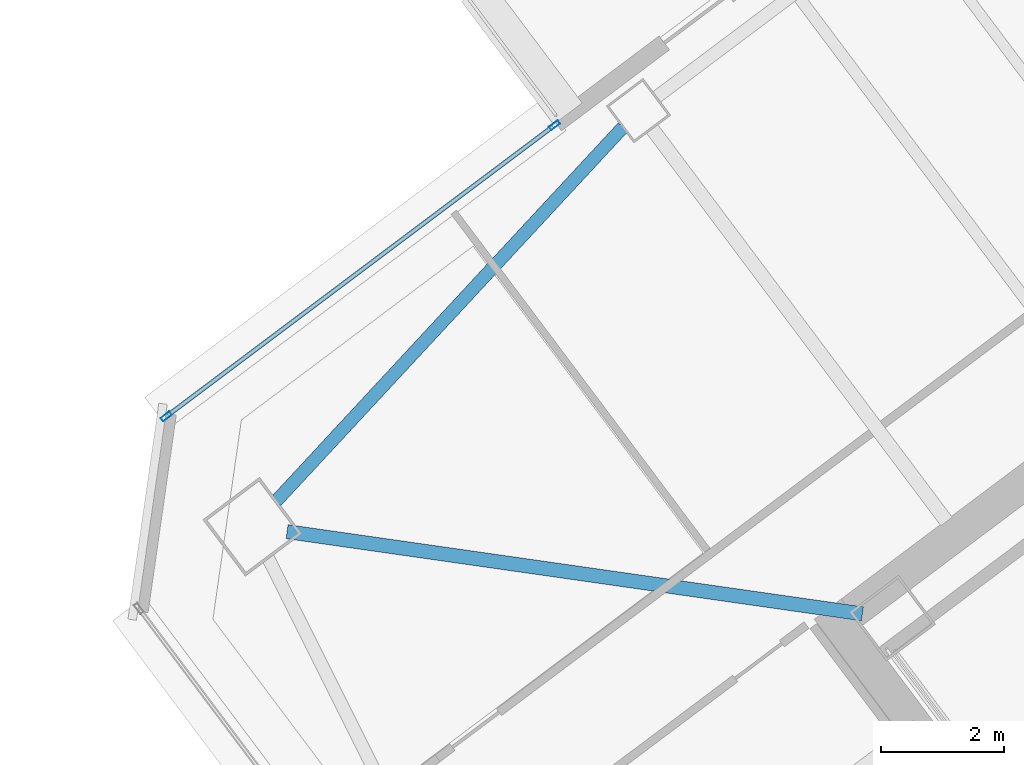
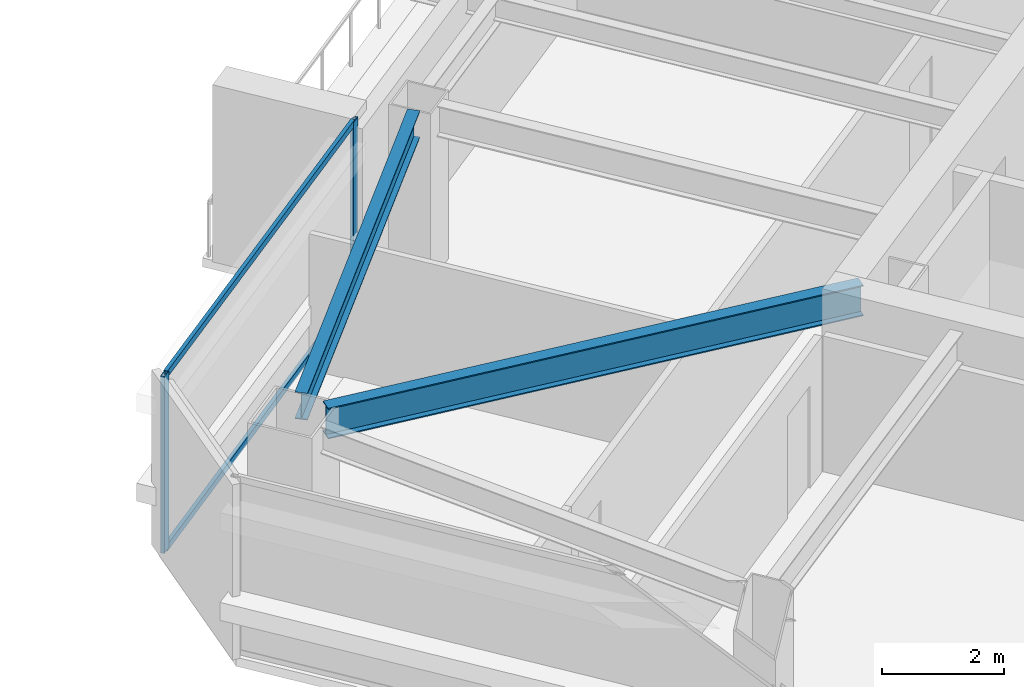
# One storey, part 22 of 41: 4 members, 2 beams, 1 element without a shape of its own.
"""IFC4 building model written with IfcOpenShell, lengths in metres."""

from ifc_helpers import new_model, si_unit, direction, frame, origin, origin_2d, place, context, subcontext, project, spatial, hollow_rectangle, i_section, extrude, material, material_profile, profile_set, type_object, element, aggregate, save


model = new_model("IFC4")

# Units and contexts
model_context = context("Model", 3, precision=1e-05, world=origin(), true_north=direction((0.0, 1.0)))
body_context = subcontext(model_context, "Body", "Model", "MODEL_VIEW")
ifc_project = project(units=[si_unit("LENGTHUNIT", "METRE"), si_unit("AREAUNIT", "SQUARE_METRE"), si_unit("VOLUMEUNIT", "CUBIC_METRE"), si_unit("PLANEANGLEUNIT", "RADIAN"), si_unit("MASSUNIT", "GRAM", prefix="KILO")], contexts=[model_context])

# Site, building, storey
site_placement = place(None, origin())
site = spatial("IfcSite", under=ifc_project, at=site_placement, CompositionType="ELEMENT")
building_placement = place(site_placement, origin())
building = spatial("IfcBuilding", under=site, at=building_placement, Name="Tashvorn Skyway Center", CompositionType="ELEMENT")
storey_placement = place(building_placement, frame((0.0, 0.0, 192.5)))
storey = spatial("IfcBuildingStorey", under=building, at=storey_placement, Name="L52", CompositionType="ELEMENT", Elevation=192.5)

# Beams
ifc_material_1 = material(Name="Steel ASTM A992 Grade 50", Category="steel")
ifc_material_profile_1 = material_profile(ifc_material_1, i_section(OverallWidth=0.22998046875, OverallDepth=0.616943359375, WebThickness=0.01318359375, FlangeThickness=0.022216796875, at=origin_2d()), Name="W24X94")
ifc_profile_set_1 = profile_set([ifc_material_profile_1], Name="Steel ASTM A992 Grade 50")
beam_type_1 = type_object("IfcBeamType", Name="BM-BEAM-W24X94", PredefinedType="BEAM", material=ifc_profile_set_1)
beam_1_placement = place(storey_placement, frame((94.26416015625, 34.8193359375, 3.0615234375), z_axis=(0.989950009213, -0.141417747326, 0.0), x_axis=(0.141417747326, 0.989950009213, 0.0)))
element("IfcBeam", 1, at=beam_1_placement, inside=storey, type_object=beam_type_1, Name="Tower 2 L52 Primary Floor Girder MC-NW", PredefinedType="BEAM", context=body_context, shape_type="SweptSolid", body=[
    extrude(i_section(OverallWidth=0.22998046875, OverallDepth=0.616943359375, WebThickness=0.01318359375, FlangeThickness=0.022216796875, at=origin_2d()), origin(), (0.0, 0.0, 1.0), 9.470947265625),
])
ifc_material_profile_2 = material_profile(ifc_material_1, i_section(OverallWidth=0.2109375, OverallDepth=0.5390625, WebThickness=0.01171875, FlangeThickness=0.018798828125, at=origin_2d()), Name="W21X73")
ifc_profile_set_2 = profile_set([ifc_material_profile_2], Name="Steel ASTM A992 Grade 50")
beam_type_2 = type_object("IfcBeamType", Name="BM-SPANDREL-W21X73", PredefinedType="SPANDREL", material=ifc_profile_set_2)
beam_2_placement = place(storey_placement, frame((99.73828125, 41.40869140625, 3.1005859375), z_axis=(-0.680119661736, -0.733101115618, 0.0), x_axis=(0.733101115618, -0.680119661736, 0.0)))
element("IfcBeam", 2, at=beam_2_placement, inside=storey, type_object=beam_type_2, Name="Tower 2 L52 Spandrel Beam 09", PredefinedType="SPANDREL", context=body_context, shape_type="SweptSolid", body=[
    extrude(i_section(OverallWidth=0.2109375, OverallDepth=0.5390625, WebThickness=0.01171875, FlangeThickness=0.018798828125, at=origin_2d()), origin(), (0.0, 0.0, 1.0), 8.308349609375),
])

# Curtain wall, members
ifc_material_2 = material(Name="Thermally broken bronze-anodized aluminium 6063-T6", Category="aluminium")
curtain_wall_type = type_object("IfcCurtainWallType", Name="CW-CW-Z4", PredefinedType="NOTDEFINED", material=ifc_material_2)
curtain_wall_placement = place(storey_placement, origin())
curtain_wall = element("IfcCurtainWall", 3, at=curtain_wall_placement, inside=storey, type_object=curtain_wall_type, Name="Tower 2 L52 North Curtain Wall L", PredefinedType="NOTDEFINED")
ifc_material_profile_3 = material_profile(ifc_material_2, hollow_rectangle(XDim=0.070068359375, YDim=0.179931640625, WallThickness=0.00390625, at=origin_2d()), Name="ALU-MULL-70x180")
ifc_profile_set_3 = profile_set([ifc_material_profile_3], Name="Thermally broken bronze-anodized aluminium 6063-T6")
member_type_1 = type_object("IfcMemberType", Name="CWM-CW-Z4", PredefinedType="MULLION", material=ifc_profile_set_3)
member_1_placement = place(storey_placement, frame((92.2958984375, 36.697021484375, 0.0), z_axis=(0.0, 0.0, 1.0), x_axis=(-0.600000000002, 0.799999999998, 0.0)))
member_1 = element("IfcMember", 4, at=member_1_placement, type_object=member_type_1, Name="CW-Z4 mullion 1", PredefinedType="MULLION", context=body_context, shape_type="SweptSolid", body=[
    extrude(hollow_rectangle(XDim=0.070068359375, YDim=0.179931640625, WallThickness=0.00390625, at=origin_2d()), origin(), (0.0, 0.0, 1.0), 3.550048828125),
])
member_2_placement = place(storey_placement, frame((98.6240234375, 41.443115234375, 0.0), z_axis=(0.0, 0.0, 1.0), x_axis=(-0.600000000002, 0.799999999998, 0.0)))
member_2 = element("IfcMember", 5, at=member_2_placement, type_object=member_type_1, Name="CW-Z4 mullion 2", PredefinedType="MULLION", context=body_context, shape_type="SweptSolid", body=[
    extrude(hollow_rectangle(XDim=0.070068359375, YDim=0.179931640625, WallThickness=0.00390625, at=origin_2d()), origin(), (0.0, 0.0, 1.0), 3.550048828125),
])
ifc_material_profile_4 = material_profile(ifc_material_2, hollow_rectangle(XDim=0.070068359375, YDim=0.1298828125, WallThickness=0.00390625, at=origin_2d()), Name="ALU-TRAN-70x130")
ifc_profile_set_4 = profile_set([ifc_material_profile_4], Name="Thermally broken bronze-anodized aluminium 6063-T6")
member_type_2 = type_object("IfcMemberType", Name="CWT-CW-Z4", PredefinedType="USERDEFINED", material=ifc_profile_set_4)
member_3_placement = place(storey_placement, frame((92.323974609375, 36.718017578125, 0.034912109375), z_axis=(0.799992526283, 0.600009964827, 0.0), x_axis=(-0.600009964827, 0.799992526283, 0.0)))
member_3 = element("IfcMember", 6, at=member_3_placement, type_object=member_type_2, Name="CW-Z4 transom 1.1", ObjectType="TRANSOM", PredefinedType="USERDEFINED", context=body_context, shape_type="SweptSolid", body=[
    extrude(hollow_rectangle(XDim=0.070068359375, YDim=0.1298828125, WallThickness=0.00390625, at=origin_2d()), origin(), (0.0, 0.0, 1.0), 7.840087890625),
])
member_4_placement = place(storey_placement, frame((92.323974609375, 36.718017578125, 3.514892578125), z_axis=(0.799992526283, 0.600009964827, 0.0), x_axis=(-0.600009964827, 0.799992526283, 0.0)))
member_4 = element("IfcMember", 7, at=member_4_placement, type_object=member_type_2, Name="CW-Z4 transom 1.2", ObjectType="TRANSOM", PredefinedType="USERDEFINED", context=body_context, shape_type="SweptSolid", body=[
    extrude(hollow_rectangle(XDim=0.070068359375, YDim=0.1298828125, WallThickness=0.00390625, at=origin_2d()), origin(), (0.0, 0.0, 1.0), 7.840087890625),
])
aggregate(curtain_wall, [member_1, member_2, member_3, member_4])

save(model, "model.ifc")
